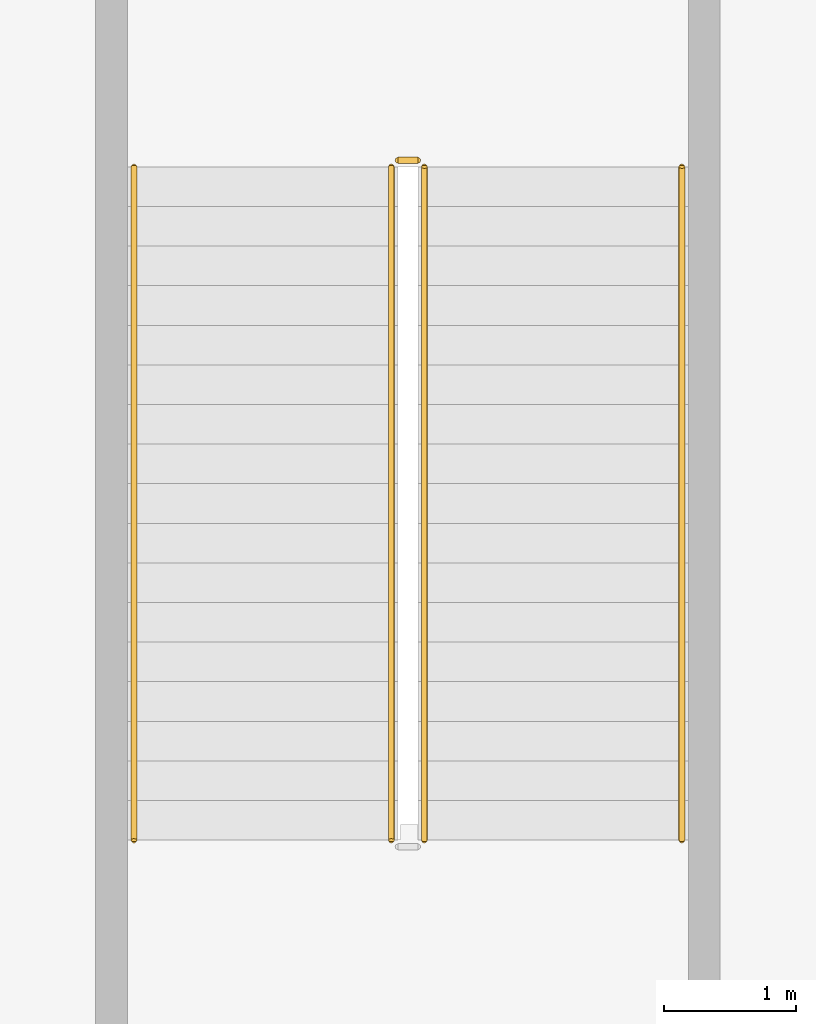
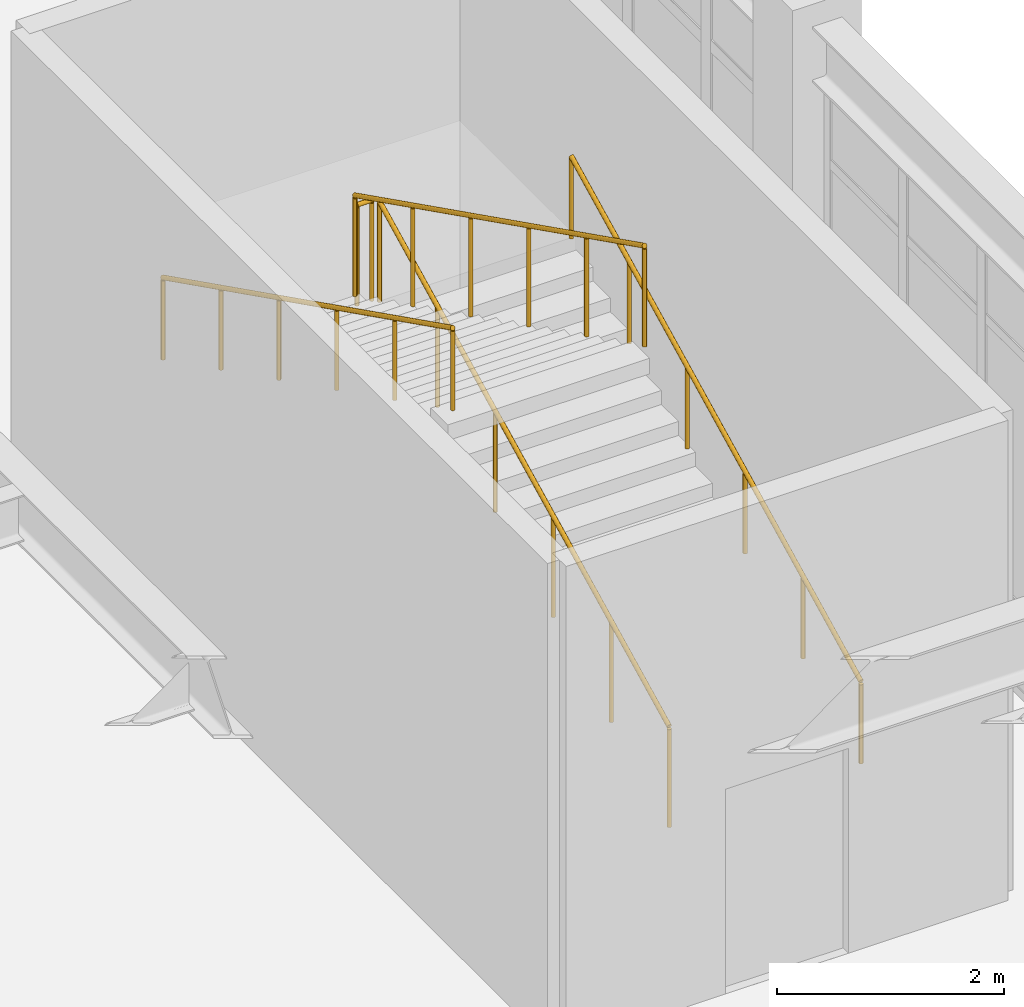
# One storey, part 77 of 80: 5 railings.
"""IFC4 building model written with IfcOpenShell, lengths in metres."""

from ifc_helpers import new_model, si_unit, direction, frame, origin, origin_2d, place, context, subcontext, project, spatial, circle, extrude, material, type_object, element, save


model = new_model("IFC4")

# Units and contexts
model_context = context("Model", 3, precision=1e-05, world=origin(), true_north=direction((0.0, 1.0)))
body_context = subcontext(model_context, "Body", "Model", "MODEL_VIEW")
ifc_project = project(units=[si_unit("LENGTHUNIT", "METRE"), si_unit("AREAUNIT", "SQUARE_METRE"), si_unit("VOLUMEUNIT", "CUBIC_METRE"), si_unit("PLANEANGLEUNIT", "RADIAN"), si_unit("MASSUNIT", "GRAM", prefix="KILO")], contexts=[model_context])

# Site, building, storey
site_placement = place(None, origin())
site = spatial("IfcSite", under=ifc_project, at=site_placement, CompositionType="ELEMENT")
building_placement = place(site_placement, origin())
building = spatial("IfcBuilding", under=site, at=building_placement, Name="Canglan Escarpment Cableway Terminal", CompositionType="ELEMENT")
storey_placement = place(building_placement, frame((0.0, 0.0, 19.199951171875)))
storey = spatial("IfcBuildingStorey", under=building, at=storey_placement, Name="L04", CompositionType="ELEMENT", Elevation=19.199951171875)

# Railings
ifc_material_1 = material(Name="Powder-coated steel stair balustrade", Category="steel")
railing_type_1 = type_object("IfcRailingType", Name="RL-STR-GUARD-1100", PredefinedType="BALUSTRADE", material=ifc_material_1)
railing_1_placement = place(storey_placement, frame((162.60009765625, 38.85009765625, 0.150146484375)))
element("IfcRailing", 1, at=railing_1_placement, inside=storey, type_object=railing_type_1, Name="L04 ST-15 stair guard 1", PredefinedType="BALUSTRADE", context=body_context, shape_type="SweptSolid", body=[
    extrude(circle(Radius=0.02392578125, at=origin_2d()), frame((0.0, 0.0, 1.076171875), z_axis=(0.0, 0.894435754537, 0.447196468016), x_axis=(-1.0, 0.0, 0.0)), (0.0, 0.0, 1.0), 5.70166015625),
    extrude(circle(Radius=0.02099609375, at=origin_2d()), origin(), (0.0, 0.0, 1.0), 1.052001953125),
    extrude(circle(Radius=0.02099609375, at=origin_2d()), frame((0.0, 1.02001953125, 0.510009765625)), (0.0, 0.0, 1.0), 1.052001953125),
    extrude(circle(Radius=0.02099609375, at=origin_2d()), frame((0.0, 2.0400390625, 1.02001953125)), (0.0, 0.0, 1.0), 1.052001953125),
    extrude(circle(Radius=0.02099609375, at=origin_2d()), frame((0.0, 3.059814453125, 1.52978515625)), (0.0, 0.0, 1.0), 1.052001953125),
    extrude(circle(Radius=0.02099609375, at=origin_2d()), frame((0.0, 4.079833984375, 2.039794921875)), (0.0, 0.0, 1.0), 1.052001953125),
    extrude(circle(Radius=0.02099609375, at=origin_2d()), frame((0.0, 5.099853515625, 2.5498046875)), (0.0, 0.0, 1.0), 1.052001953125),
])
railing_2_placement = place(storey_placement, frame((162.550048828125, 44.0, 2.699951171875)))
element("IfcRailing", 2, at=railing_2_placement, inside=storey, type_object=railing_type_1, Name="L04 ST-15 stair guard 2", PredefinedType="BALUSTRADE", context=body_context, shape_type="SweptSolid", body=[
    extrude(circle(Radius=0.02392578125, at=origin_2d()), frame((0.0, 0.0, 1.076171875), z_axis=(-1.0, 0.0, 0.0), x_axis=(0.0, -1.0, 0.0)), (0.0, 0.0, 1.0), 0.150146484375),
    extrude(circle(Radius=0.02099609375, at=origin_2d()), origin(), (0.0, 0.0, 1.0), 1.052001953125),
    extrude(circle(Radius=0.02099609375, at=origin_2d()), frame((-0.150146484375, 0.0, 0.0)), (0.0, 0.0, 1.0), 1.052001953125),
])
railing_3_placement = place(storey_placement, frame((162.35009765625, 43.949951171875, 2.85009765625)))
element("IfcRailing", 3, at=railing_3_placement, inside=storey, type_object=railing_type_1, Name="L04 ST-15 stair guard 3", PredefinedType="BALUSTRADE", context=body_context, shape_type="SweptSolid", body=[
    extrude(circle(Radius=0.02392578125, at=origin_2d()), frame((0.0, 0.0, 1.076171875), z_axis=(0.0, -0.894418627299, 0.447230722492), x_axis=(1.0, 0.0, 0.0)), (0.0, 0.0, 1.0), 5.701904296875),
    extrude(circle(Radius=0.02099609375, at=origin_2d()), origin(), (0.0, 0.0, 1.0), 1.052001953125),
    extrude(circle(Radius=0.02099609375, at=origin_2d()), frame((0.0, -1.02001953125, 0.510009765625)), (0.0, 0.0, 1.0), 1.052001953125),
    extrude(circle(Radius=0.02099609375, at=origin_2d()), frame((0.0, -2.0400390625, 1.02001953125)), (0.0, 0.0, 1.0), 1.052001953125),
    extrude(circle(Radius=0.02099609375, at=origin_2d()), frame((0.0, -3.059814453125, 1.530029296875)), (0.0, 0.0, 1.0), 1.052001953125),
    extrude(circle(Radius=0.02099609375, at=origin_2d()), frame((0.0, -4.079833984375, 2.0400390625)), (0.0, 0.0, 1.0), 1.052001953125),
    extrude(circle(Radius=0.02099609375, at=origin_2d()), frame((0.0, -5.099853515625, 2.550048828125)), (0.0, 0.0, 1.0), 1.052001953125),
])
ifc_material_2 = material(Name="Brushed stainless steel 304 handrail", Category="steel")
railing_type_2 = type_object("IfcRailingType", Name="RL-STR-HR-900", PredefinedType="HANDRAIL", material=ifc_material_2)
railing_4_placement = place(storey_placement, frame((164.550048828125, 38.85009765625, 0.150146484375)))
element("IfcRailing", 4, at=railing_4_placement, inside=storey, type_object=railing_type_2, Name="L04 ST-15 stair handrail 1", PredefinedType="HANDRAIL", context=body_context, shape_type="SweptSolid", body=[
    extrude(circle(Radius=0.02392578125, at=origin_2d()), frame((0.0, 0.0, 0.8759765625), z_axis=(0.0, 0.894435754537, 0.447196468016), x_axis=(-1.0, 0.0, 0.0)), (0.0, 0.0, 1.0), 5.70166015625),
    extrude(circle(Radius=0.02099609375, at=origin_2d()), origin(), (0.0, 0.0, 1.0), 0.851806640625),
    extrude(circle(Radius=0.02099609375, at=origin_2d()), frame((0.0, 1.02001953125, 0.510009765625)), (0.0, 0.0, 1.0), 0.851806640625),
    extrude(circle(Radius=0.02099609375, at=origin_2d()), frame((0.0, 2.0400390625, 1.02001953125)), (0.0, 0.0, 1.0), 0.851806640625),
    extrude(circle(Radius=0.02099609375, at=origin_2d()), frame((0.0, 3.059814453125, 1.52978515625)), (0.0, 0.0, 1.0), 0.851806640625),
    extrude(circle(Radius=0.02099609375, at=origin_2d()), frame((0.0, 4.079833984375, 2.039794921875)), (0.0, 0.0, 1.0), 0.851806640625),
    extrude(circle(Radius=0.02099609375, at=origin_2d()), frame((0.0, 5.099853515625, 2.5498046875)), (0.0, 0.0, 1.0), 0.851806640625),
])
railing_5_placement = place(storey_placement, frame((160.39990234375, 43.949951171875, 2.85009765625)))
element("IfcRailing", 5, at=railing_5_placement, inside=storey, type_object=railing_type_2, Name="L04 ST-15 stair handrail 2", PredefinedType="HANDRAIL", context=body_context, shape_type="SweptSolid", body=[
    extrude(circle(Radius=0.02392578125, at=origin_2d()), frame((0.0, 0.0, 0.8759765625), z_axis=(0.0, -0.894418627299, 0.447230722492), x_axis=(1.0, 0.0, 0.0)), (0.0, 0.0, 1.0), 5.701904296875),
    extrude(circle(Radius=0.02099609375, at=origin_2d()), origin(), (0.0, 0.0, 1.0), 0.851806640625),
    extrude(circle(Radius=0.02099609375, at=origin_2d()), frame((0.0, -1.02001953125, 0.510009765625)), (0.0, 0.0, 1.0), 0.851806640625),
    extrude(circle(Radius=0.02099609375, at=origin_2d()), frame((0.0, -2.0400390625, 1.02001953125)), (0.0, 0.0, 1.0), 0.851806640625),
    extrude(circle(Radius=0.02099609375, at=origin_2d()), frame((0.0, -3.059814453125, 1.530029296875)), (0.0, 0.0, 1.0), 0.851806640625),
    extrude(circle(Radius=0.02099609375, at=origin_2d()), frame((0.0, -4.079833984375, 2.0400390625)), (0.0, 0.0, 1.0), 0.851806640625),
    extrude(circle(Radius=0.02099609375, at=origin_2d()), frame((0.0, -5.099853515625, 2.550048828125)), (0.0, 0.0, 1.0), 0.851806640625),
])

save(model, "model.ifc")
